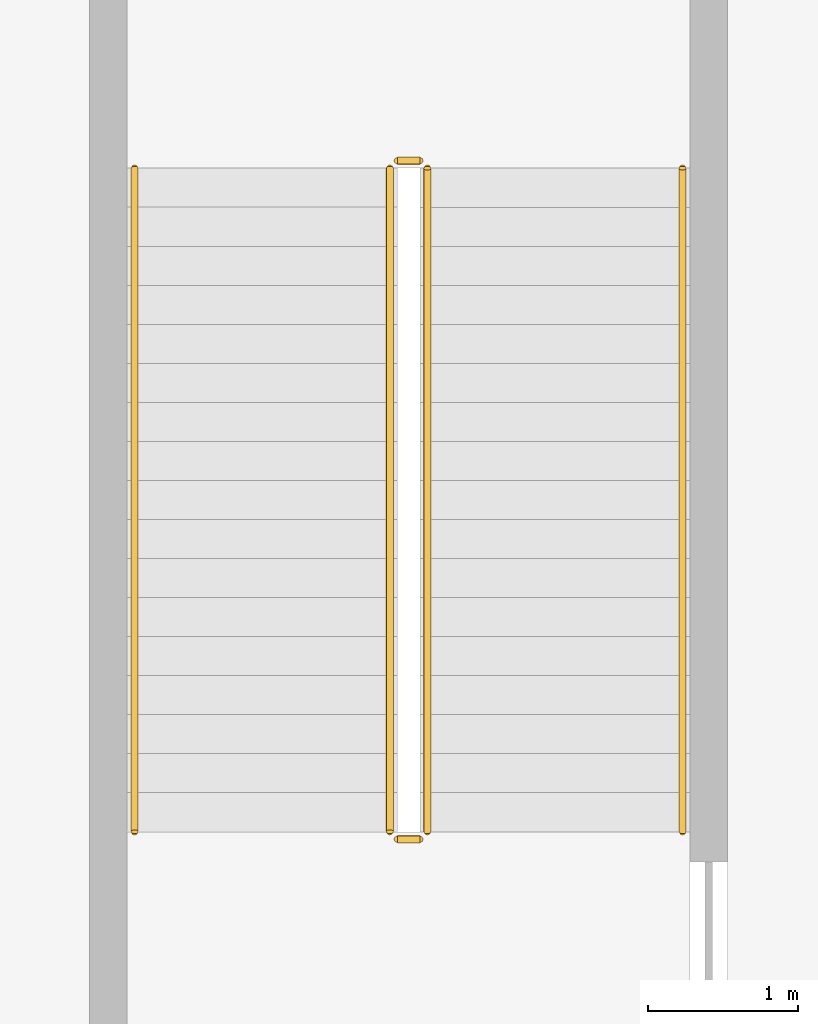
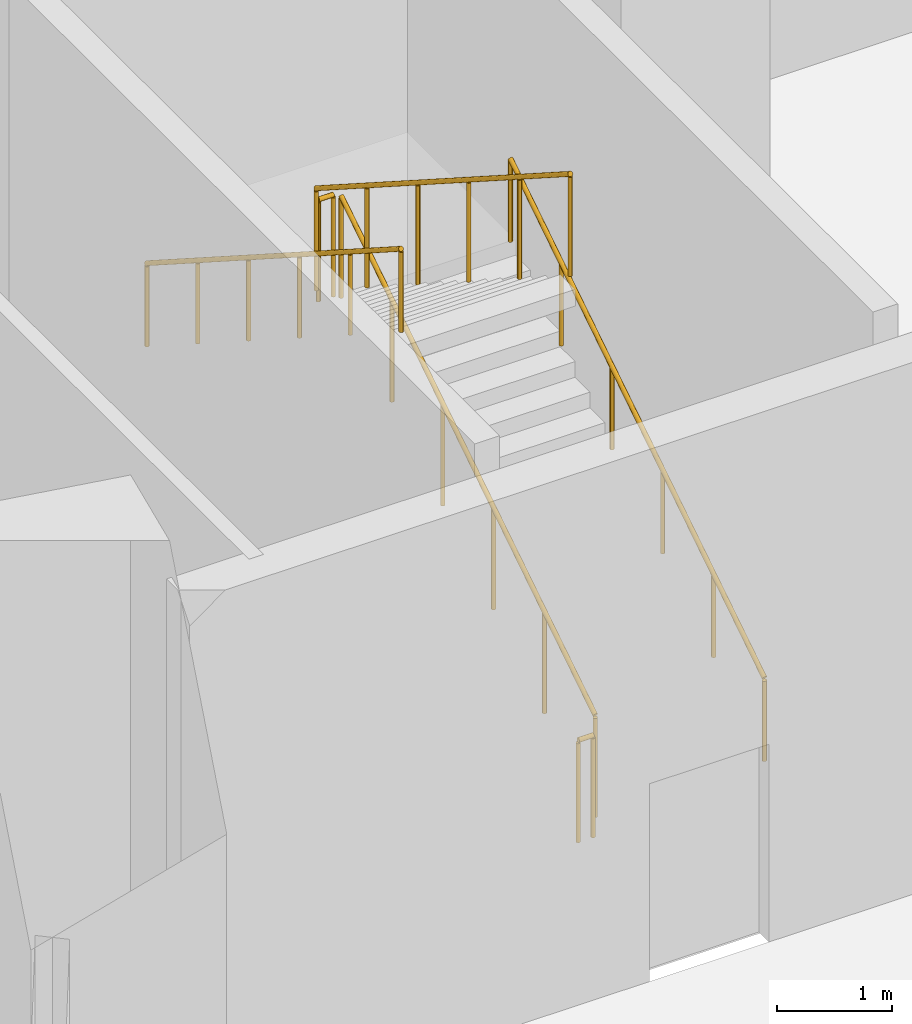
# One storey, part 35 of 47: 6 railings.
"""IFC4 building model written with IfcOpenShell, lengths in metres."""

from ifc_helpers import new_model, si_unit, direction, frame, origin, origin_2d, place, context, subcontext, project, spatial, circle, extrude, material, type_object, element, save


model = new_model("IFC4")

# Units and contexts
model_context = context("Model", 3, precision=1e-05, world=origin(), true_north=direction((0.0, 1.0)))
body_context = subcontext(model_context, "Body", "Model", "MODEL_VIEW")
ifc_project = project(units=[si_unit("LENGTHUNIT", "METRE"), si_unit("AREAUNIT", "SQUARE_METRE"), si_unit("VOLUMEUNIT", "CUBIC_METRE"), si_unit("PLANEANGLEUNIT", "RADIAN"), si_unit("MASSUNIT", "GRAM", prefix="KILO")], contexts=[model_context])

# Site, building, storey
site_placement = place(None, origin())
site = spatial("IfcSite", under=ifc_project, at=site_placement, CompositionType="ELEMENT")
building_placement = place(site_placement, origin())
building = spatial("IfcBuilding", under=site, at=building_placement, Name="Hunhe Ridgeline Campus", CompositionType="ELEMENT")
storey_placement = place(building_placement, origin())
storey = spatial("IfcBuildingStorey", under=building, at=storey_placement, Name="L00", CompositionType="ELEMENT", Elevation=0.0)

# Railings
ifc_material = material(Name="Steel Q235", Category="steel")
railing_type_1 = type_object("IfcRailingType", Name="Podium stair guard 1100", PredefinedType="GUARDRAIL", material=ifc_material)
railing_1_placement = place(storey_placement, frame((49.5, 20.199951171875, 0.166748046875)))
element("IfcRailing", 1, at=railing_1_placement, inside=storey, type_object=railing_type_1, Name="L00 PS1 stair guard 1", PredefinedType="GUARDRAIL", context=body_context, shape_type="SweptSolid", body=[
    extrude(circle(Radius=0.02392578125, at=origin_2d()), frame((0.0, 0.0, 1.076171875), z_axis=(0.0, 0.841895389996, 0.53964076227), x_axis=(-1.0, 0.0, 0.0)), (0.0, 0.0, 1.0), 5.250244140625),
    extrude(circle(Radius=0.02099609375, at=origin_2d()), origin(), (0.0, 0.0, 1.0), 1.052001953125),
    extrude(circle(Radius=0.02099609375, at=origin_2d()), frame((0.0, 0.884033203125, 0.566650390625)), (0.0, 0.0, 1.0), 1.052001953125),
    extrude(circle(Radius=0.02099609375, at=origin_2d()), frame((0.0, 1.76806640625, 1.13330078125)), (0.0, 0.0, 1.0), 1.052001953125),
    extrude(circle(Radius=0.02099609375, at=origin_2d()), frame((0.0, 2.652099609375, 1.699951171875)), (0.0, 0.0, 1.0), 1.052001953125),
    extrude(circle(Radius=0.02099609375, at=origin_2d()), frame((0.0, 3.5361328125, 2.2666015625)), (0.0, 0.0, 1.0), 1.052001953125),
    extrude(circle(Radius=0.02099609375, at=origin_2d()), frame((0.0, 4.420166015625, 2.833251953125)), (0.0, 0.0, 1.0), 1.052001953125),
])
railing_2_placement = place(storey_placement, frame((49.449951171875, 24.669921875, 3.0)))
element("IfcRailing", 2, at=railing_2_placement, inside=storey, type_object=railing_type_1, Name="L00 PS1 stair guard 2", PredefinedType="GUARDRAIL", context=body_context, shape_type="SweptSolid", body=[
    extrude(circle(Radius=0.02392578125, at=origin_2d()), frame((0.0, 0.0, 1.076171875), z_axis=(-1.0, 0.0, 0.0), x_axis=(0.0, -1.0, 0.0)), (0.0, 0.0, 1.0), 0.14990234375),
    extrude(circle(Radius=0.02099609375, at=origin_2d()), origin(), (0.0, 0.0, 1.0), 1.052001953125),
    extrude(circle(Radius=0.02099609375, at=origin_2d()), frame((-0.14990234375, 0.0, 0.0)), (0.0, 0.0, 1.0), 1.052001953125),
])
railing_3_placement = place(storey_placement, frame((49.25, 24.6201171875, 3.166748046875)))
element("IfcRailing", 3, at=railing_3_placement, inside=storey, type_object=railing_type_1, Name="L00 PS1 stair guard 3", PredefinedType="GUARDRAIL", context=body_context, shape_type="SweptSolid", body=[
    extrude(circle(Radius=0.02392578125, at=origin_2d()), frame((0.0, 0.0, 1.076171875), z_axis=(0.0, -0.841895389996, 0.53964076227), x_axis=(1.0, 0.0, 0.0)), (0.0, 0.0, 1.0), 5.250244140625),
    extrude(circle(Radius=0.02099609375, at=origin_2d()), origin(), (0.0, 0.0, 1.0), 1.052001953125),
    extrude(circle(Radius=0.02099609375, at=origin_2d()), frame((0.0, -0.884033203125, 0.566650390625)), (0.0, 0.0, 1.0), 1.052001953125),
    extrude(circle(Radius=0.02099609375, at=origin_2d()), frame((0.0, -1.76806640625, 1.13330078125)), (0.0, 0.0, 1.0), 1.052001953125),
    extrude(circle(Radius=0.02099609375, at=origin_2d()), frame((0.0, -2.652099609375, 1.699951171875)), (0.0, 0.0, 1.0), 1.052001953125),
    extrude(circle(Radius=0.02099609375, at=origin_2d()), frame((0.0, -3.5361328125, 2.2666015625)), (0.0, 0.0, 1.0), 1.052001953125),
    extrude(circle(Radius=0.02099609375, at=origin_2d()), frame((0.0, -4.420166015625, 2.833251953125)), (0.0, 0.0, 1.0), 1.052001953125),
])
railing_4_placement = place(storey_placement, frame((49.449951171875, 20.14990234375, 0.0)))
element("IfcRailing", 4, at=railing_4_placement, inside=storey, type_object=railing_type_1, Name="L00 PS1 stair guard 4", PredefinedType="GUARDRAIL", context=body_context, shape_type="SweptSolid", body=[
    extrude(circle(Radius=0.02392578125, at=origin_2d()), frame((0.0, 0.0, 1.076171875), z_axis=(-1.0, 0.0, 0.0), x_axis=(0.0, -1.0, 0.0)), (0.0, 0.0, 1.0), 0.14990234375),
    extrude(circle(Radius=0.02099609375, at=origin_2d()), origin(), (0.0, 0.0, 1.0), 1.052001953125),
    extrude(circle(Radius=0.02099609375, at=origin_2d()), frame((-0.14990234375, 0.0, 0.0)), (0.0, 0.0, 1.0), 1.052001953125),
])
railing_type_2 = type_object("IfcRailingType", Name="Podium stair handrail", PredefinedType="HANDRAIL", material=ifc_material)
railing_5_placement = place(storey_placement, frame((51.199951171875, 20.199951171875, 0.166748046875)))
element("IfcRailing", 5, at=railing_5_placement, inside=storey, type_object=railing_type_2, Name="L00 PS1 stair handrail 1", PredefinedType="HANDRAIL", context=body_context, shape_type="SweptSolid", body=[
    extrude(circle(Radius=0.02392578125, at=origin_2d()), frame((0.0, 0.0, 0.8759765625), z_axis=(0.0, 0.841895389996, 0.53964076227), x_axis=(-1.0, 0.0, 0.0)), (0.0, 0.0, 1.0), 5.250244140625),
    extrude(circle(Radius=0.02099609375, at=origin_2d()), origin(), (0.0, 0.0, 1.0), 0.851806640625),
    extrude(circle(Radius=0.02099609375, at=origin_2d()), frame((0.0, 0.884033203125, 0.566650390625)), (0.0, 0.0, 1.0), 0.851806640625),
    extrude(circle(Radius=0.02099609375, at=origin_2d()), frame((0.0, 1.76806640625, 1.13330078125)), (0.0, 0.0, 1.0), 0.851806640625),
    extrude(circle(Radius=0.02099609375, at=origin_2d()), frame((0.0, 2.652099609375, 1.699951171875)), (0.0, 0.0, 1.0), 0.851806640625),
    extrude(circle(Radius=0.02099609375, at=origin_2d()), frame((0.0, 3.5361328125, 2.2666015625)), (0.0, 0.0, 1.0), 0.851806640625),
    extrude(circle(Radius=0.02099609375, at=origin_2d()), frame((0.0, 4.420166015625, 2.833251953125)), (0.0, 0.0, 1.0), 0.851806640625),
])
railing_6_placement = place(storey_placement, frame((47.550048828125, 24.6201171875, 3.166748046875)))
element("IfcRailing", 6, at=railing_6_placement, inside=storey, type_object=railing_type_2, Name="L00 PS1 stair handrail 2", PredefinedType="HANDRAIL", context=body_context, shape_type="SweptSolid", body=[
    extrude(circle(Radius=0.02392578125, at=origin_2d()), frame((0.0, 0.0, 0.8759765625), z_axis=(0.0, -0.841895389996, 0.53964076227), x_axis=(1.0, 0.0, 0.0)), (0.0, 0.0, 1.0), 5.250244140625),
    extrude(circle(Radius=0.02099609375, at=origin_2d()), origin(), (0.0, 0.0, 1.0), 0.851806640625),
    extrude(circle(Radius=0.02099609375, at=origin_2d()), frame((0.0, -0.884033203125, 0.566650390625)), (0.0, 0.0, 1.0), 0.851806640625),
    extrude(circle(Radius=0.02099609375, at=origin_2d()), frame((0.0, -1.76806640625, 1.13330078125)), (0.0, 0.0, 1.0), 0.851806640625),
    extrude(circle(Radius=0.02099609375, at=origin_2d()), frame((0.0, -2.652099609375, 1.699951171875)), (0.0, 0.0, 1.0), 0.851806640625),
    extrude(circle(Radius=0.02099609375, at=origin_2d()), frame((0.0, -3.5361328125, 2.2666015625)), (0.0, 0.0, 1.0), 0.851806640625),
    extrude(circle(Radius=0.02099609375, at=origin_2d()), frame((0.0, -4.420166015625, 2.833251953125)), (0.0, 0.0, 1.0), 0.851806640625),
])

save(model, "model.ifc")
